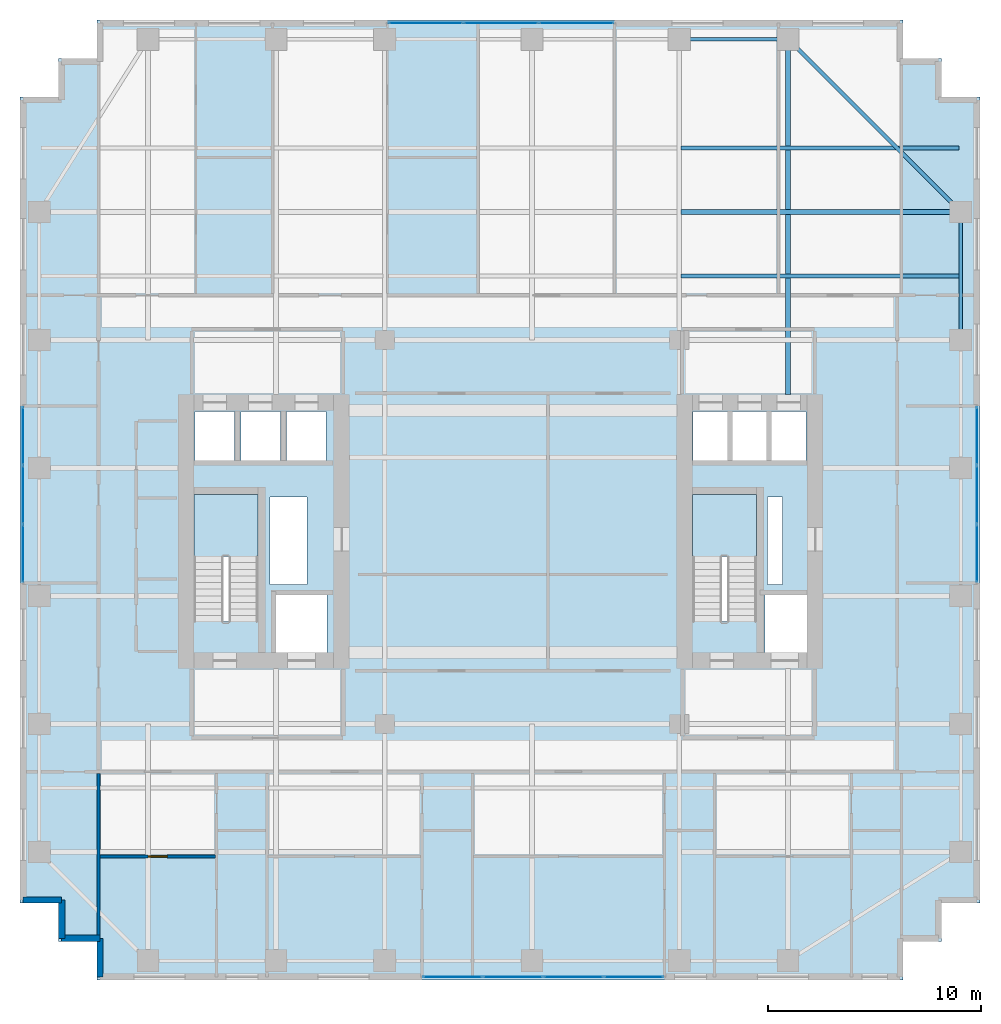
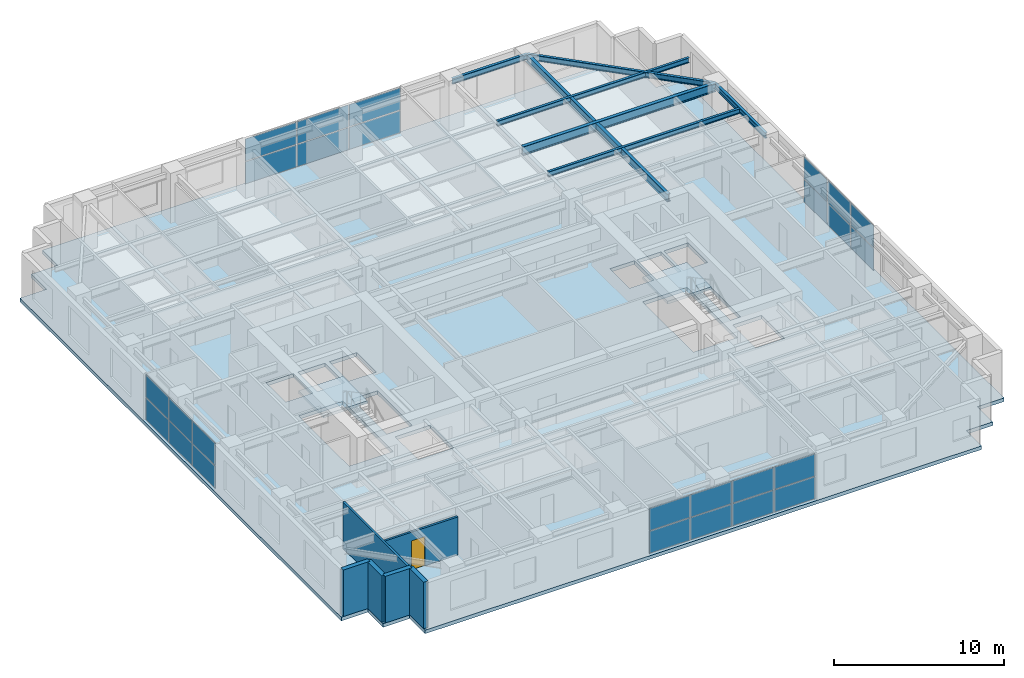
# One storey, part 11 of 20: 26 plates, 7 beams, 6 walls, 3 slabs, 1 door, 1 opening, 6 elements without a shape of their own.
"""IFC4 building model written with IfcOpenShell, lengths in metres."""

from ifc_helpers import new_model, si_unit, direction, frame, frame_2d, origin, origin_2d, place, context, subcontext, project, spatial, polyline, rectangle, i_section, outline, extrude, source, transform, mapped, material, layer, layer_set, material_profile, profile_set, type_object, element, fill, aggregate, save


model = new_model("IFC4")

# Units and contexts
model_context = context("Model", 3, precision=1e-05, world=origin(), true_north=direction((0.0, 1.0)))
body_context = subcontext(model_context, "Body", "Model", "MODEL_VIEW")
ifc_project = project(units=[si_unit("LENGTHUNIT", "METRE"), si_unit("AREAUNIT", "SQUARE_METRE"), si_unit("VOLUMEUNIT", "CUBIC_METRE"), si_unit("PLANEANGLEUNIT", "RADIAN"), si_unit("MASSUNIT", "GRAM", prefix="KILO")], contexts=[model_context])

# Site, building, storey
site_placement = place(None, origin())
site = spatial("IfcSite", under=ifc_project, at=site_placement, CompositionType="ELEMENT")
building_placement = place(site_placement, origin())
building = spatial("IfcBuilding", under=site, at=building_placement, Name="Khoralis Quay Care Tower", CompositionType="ELEMENT")
storey_placement = place(building_placement, frame((0.0, 0.0, 116.10009765625)))
storey = spatial("IfcBuildingStorey", under=building, at=storey_placement, Name="L30", CompositionType="ELEMENT", Elevation=116.10009765625)

# Beams
ifc_material_1 = material(Name="Steel S355", Category="steel")
ifc_material_profile_1 = material_profile(ifc_material_1, i_section(OverallWidth=0.179931640625, OverallDepth=0.39990234375, WebThickness=0.008544921875, FlangeThickness=0.013427734375, FilletRadius=0.02099609375, at=origin_2d()), Name="Steel S355")
ifc_profile_set_1 = profile_set([ifc_material_profile_1], Name="Steel S355")
beam_type_1 = type_object("IfcBeamType", Name="BM-IPE400", PredefinedType="SPANDREL", material=ifc_profile_set_1)
shared_shape_1 = source(origin(), body_context, "Body", "SweptSolid", [
    extrude(i_section(OverallWidth=0.179931640625, OverallDepth=0.39990234375, WebThickness=0.008544921875, FlangeThickness=0.013427734375, FilletRadius=0.02099609375, at=origin_2d()), origin(), (0.0, 0.0, 1.0), 6.0),
])
beam_1_placement = place(storey_placement, frame((44.10009765625, 30.0, 3.139892578125), z_axis=(0.0, 1.0, 0.0), x_axis=(-1.0, 0.0, 0.0)))
element("IfcBeam", 1, at=beam_1_placement, inside=storey, type_object=beam_type_1, Name="BM-TSP-L30-20", PredefinedType="SPANDREL", context=body_context, shape_type="MappedRepresentation", body=[
    mapped(shared_shape_1, transform((0.0, 0.0, 0.0), scale=1.0)),
])
shared_shape_2 = source(origin(), body_context, "Body", "SweptSolid", [
    extrude(i_section(OverallWidth=0.179931640625, OverallDepth=0.39990234375, WebThickness=0.008544921875, FlangeThickness=0.013427734375, FilletRadius=0.02099609375, at=origin_2d()), origin(), (0.0, 0.0, 1.0), 5.10009765625),
])
beam_2_placement = place(storey_placement, frame((30.89990234375, 44.10009765625, 3.139892578125), z_axis=(1.0, 0.0, 0.0), x_axis=(0.0, 1.0, 0.0)))
element("IfcBeam", 2, at=beam_2_placement, inside=storey, type_object=beam_type_1, Name="BM-TSP-L30-10", PredefinedType="SPANDREL", context=body_context, shape_type="MappedRepresentation", body=[
    mapped(shared_shape_2, transform((0.0, 0.0, 0.0), scale=1.0)),
])
shared_shape_3 = source(origin(), body_context, "Body", "SweptSolid", [
    extrude(i_section(OverallWidth=0.179931640625, OverallDepth=0.39990234375, WebThickness=0.008544921875, FlangeThickness=0.013427734375, FilletRadius=0.02099609375, at=origin_2d()), origin(), (0.0, 0.0, 1.0), 11.455322265625),
])
beam_3_placement = place(storey_placement, frame((36.0, 44.10009765625, 3.139892578125), z_axis=(0.707106781187, -0.707106781187, 0.0), x_axis=(0.707106781187, 0.707106781187, 0.0)))
element("IfcBeam", 3, at=beam_3_placement, inside=storey, type_object=beam_type_1, Name="BM-TCR-L30-24", PredefinedType="SPANDREL", context=body_context, shape_type="MappedRepresentation", body=[
    mapped(shared_shape_3, transform((0.0, 0.0, 0.0), scale=1.0)),
])
ifc_material_profile_2 = material_profile(ifc_material_1, i_section(OverallWidth=0.22998046875, OverallDepth=0.616943359375, WebThickness=0.01318359375, FlangeThickness=0.022216796875, FilletRadius=0.01806640625, at=origin_2d()), Name="Steel S355")
ifc_profile_set_2 = profile_set([ifc_material_profile_2], Name="Steel S355")
beam_type_2 = type_object("IfcBeamType", Name="BM-W610X140", PredefinedType="BEAM", material=ifc_profile_set_2)
shared_shape_4 = source(origin(), body_context, "Body", "SweptSolid", [
    extrude(i_section(OverallWidth=0.22998046875, OverallDepth=0.616943359375, WebThickness=0.01318359375, FlangeThickness=0.022216796875, FilletRadius=0.01806640625, at=origin_2d()), origin(), (0.0, 0.0, 1.0), 13.106201171875),
])
beam_4_placement = place(storey_placement, frame((30.993896484375, 36.0, 3.031494140625), z_axis=(1.0, 0.0, 0.0), x_axis=(0.0, 1.0, 0.0)))
element("IfcBeam", 4, at=beam_4_placement, inside=storey, type_object=beam_type_2, Name="BM-TGXE-L30-360", PredefinedType="BEAM", context=body_context, shape_type="MappedRepresentation", body=[
    mapped(shared_shape_4, transform((0.0, 0.0, 0.0), scale=1.0)),
])
ifc_material_profile_3 = material_profile(ifc_material_1, i_section(OverallWidth=0.2119140625, OverallDepth=0.5439453125, WebThickness=0.01318359375, FlangeThickness=0.021240234375, FilletRadius=0.01611328125, at=origin_2d()), Name="Steel S355")
ifc_profile_set_3 = profile_set([ifc_material_profile_3], Name="Steel S355")
beam_type_3 = type_object("IfcBeamType", Name="BM-W530X123", PredefinedType="BEAM", material=ifc_profile_set_3)
shared_shape_5 = source(origin(), body_context, "Body", "SweptSolid", [
    extrude(i_section(OverallWidth=0.2119140625, OverallDepth=0.5439453125, WebThickness=0.01318359375, FlangeThickness=0.021240234375, FilletRadius=0.01611328125, at=origin_2d()), origin(), (0.0, 0.0, 1.0), 16.652099609375),
])
beam_5_placement = place(storey_placement, frame((36.0, 27.447998046875, 3.06787109375), z_axis=(0.0, 1.0, 0.0), x_axis=(-1.0, 0.0, 0.0)))
element("IfcBeam", 5, at=beam_5_placement, inside=storey, type_object=beam_type_3, Name="BM-TGYN-L30-360", PredefinedType="BEAM", context=body_context, shape_type="MappedRepresentation", body=[
    mapped(shared_shape_5, transform((0.0, 0.0, 0.0), scale=1.0)),
])
ifc_material_profile_4 = material_profile(ifc_material_1, i_section(OverallWidth=0.1708984375, OverallDepth=0.35498046875, WebThickness=0.007080078125, FlangeThickness=0.01171875, FilletRadius=0.012939453125, at=origin_2d()), Name="Steel S355")
ifc_profile_set_4 = profile_set([ifc_material_profile_4], Name="Steel S355")
beam_type_4 = type_object("IfcBeamType", Name="BM-W360X51", PredefinedType="JOIST", material=ifc_profile_set_4)
shared_shape_6 = source(origin(), body_context, "Body", "SweptSolid", [
    extrude(i_section(OverallWidth=0.1708984375, OverallDepth=0.35498046875, WebThickness=0.007080078125, FlangeThickness=0.01171875, FilletRadius=0.012939453125, at=origin_2d()), origin(), (0.0, 0.0, 1.0), 13.030029296875),
])
for number, where, z_axis, x_axis, name in (
    (6, (30.993896484375, 33.0, 3.162353515625), (1.0, 0.0, 0.0), (0.0, 1.0, 0.0), "BM-TJS-L30-29"),
    (7, (30.993896484375, 39.0, 3.162353515625), (1.0, 0.0, 0.0), (0.0, 1.0, 0.0), "BM-TJS-L30-32"),
):
    element("IfcBeam", number, at=place(storey_placement, frame(where, z_axis=z_axis, x_axis=x_axis)), inside=storey, type_object=beam_type_4, Name=name, PredefinedType="JOIST", context=body_context, shape_type="MappedRepresentation", body=[
        mapped(shared_shape_6, transform((0.0, 0.0, 0.0), scale=1.0)),
    ])

# Stair, slab
ifc_material_2 = material(Name="Precast concrete C45/55", Category="concrete")
stair_type = type_object("IfcStairType", Name="ST-TWR-DOGLEG-1400", PredefinedType="HALF_TURN_STAIR", material=ifc_material_2)
stair_1_placement = place(storey_placement, origin())
stair_1 = element("IfcStair", 8, at=stair_1_placement, inside=storey, type_object=stair_type, Name="L30 West Core Exit Stair ST-T1", PredefinedType="HALF_TURN_STAIR")
ifc_layer_1 = layer(ifc_material_2, 0.199951171875)
ifc_layer_set_1 = layer_set([ifc_layer_1], Name="Precast concrete C45/55")
slab_type_1 = type_object("IfcSlabType", Name="SLB-LANDING-200", PredefinedType="LANDING", material=ifc_layer_set_1)
slab_1_placement = place(storey_placement, frame((0.0, 0.0, 1.599853515625)))
slab_1 = element("IfcSlab", 9, at=slab_1_placement, type_object=slab_type_1, Name="ST-T1 landing 1", PredefinedType="LANDING", context=body_context, shape_type="SweptSolid", body=[
    extrude(outline(polyline([(11.14990234375, 19.840087890625), (11.14990234375, 22.75), (8.14990234375, 22.75), (8.14990234375, 19.840087890625), (11.14990234375, 19.840087890625)])), origin(), (0.0, 0.0, 1.0), 0.199951171875),
])
aggregate(stair_1, [slab_1])

stair_2_placement = place(storey_placement, origin())
stair_2 = element("IfcStair", 10, at=stair_2_placement, inside=storey, type_object=stair_type, Name="L30 East Core Exit Stair ST-T2", PredefinedType="HALF_TURN_STAIR")
slab_2_placement = place(storey_placement, frame((0.0, 0.0, 1.599853515625)))
slab_2 = element("IfcSlab", 11, at=slab_2_placement, type_object=slab_type_1, Name="ST-T2 landing 1", PredefinedType="LANDING", context=body_context, shape_type="SweptSolid", body=[
    extrude(outline(polyline([(34.52001953125, 19.840087890625), (34.52001953125, 22.75), (31.52001953125, 22.75), (31.52001953125, 19.840087890625), (34.52001953125, 19.840087890625)])), origin(), (0.0, 0.0, 1.0), 0.199951171875),
])
aggregate(stair_2, [slab_2])

# Slab
ifc_material_3 = material(Name="Concrete C40/50", Category="concrete")
ifc_layer_2 = layer(ifc_material_3, 0.260009765625)
ifc_layer_set_2 = layer_set([ifc_layer_2], Name="Concrete C40/50")
slab_type_2 = type_object("IfcSlabType", Name="SLB-TWR-260", PredefinedType="FLOOR", material=ifc_layer_set_2)
slab_3_placement = place(storey_placement, frame((0.0, 0.0, -0.260009765625)))
element("IfcSlab", 12, at=slab_3_placement, inside=storey, type_object=slab_type_2, Name="Tower Floor Slab L30", PredefinedType="FLOOR", context=body_context, shape_type="SweptSolid", body=[
    extrude(outline(polyline([(3.60009765625, 0.0), (41.39990234375, 0.0), (41.39990234375, 1.800048828125), (43.199951171875, 1.800048828125), (43.199951171875, 3.60009765625), (45.0, 3.60009765625), (45.0, 41.39990234375), (43.199951171875, 41.39990234375), (43.199951171875, 43.199951171875), (41.39990234375, 43.199951171875), (41.39990234375, 45.0), (3.60009765625, 45.0), (3.60009765625, 43.199951171875), (1.800048828125, 43.199951171875), (1.800048828125, 41.39990234375), (0.0, 41.39990234375), (0.0, 3.60009765625), (1.800048828125, 3.60009765625), (1.800048828125, 1.800048828125), (3.60009765625, 1.800048828125), (3.60009765625, 0.0)]), holes=[polyline([(11.14990234375, 16.800048828125), (11.14990234375, 22.75), (8.14990234375, 22.75), (8.14990234375, 16.800048828125), (11.14990234375, 16.800048828125)]), polyline([(34.52001953125, 16.800048828125), (34.52001953125, 22.75), (31.52001953125, 22.75), (31.52001953125, 16.800048828125), (34.52001953125, 16.800048828125)]), polyline([(12.0, 15.35009765625), (14.39990234375, 15.35009765625), (14.39990234375, 18.050048828125), (12.0, 18.050048828125), (12.0, 15.35009765625)]), polyline([(34.919921875, 15.35009765625), (36.8798828125, 15.35009765625), (36.8798828125, 18.050048828125), (34.919921875, 18.050048828125), (34.919921875, 15.35009765625)]), polyline([(8.199951171875, 24.35009765625), (10.050048828125, 24.35009765625), (10.050048828125, 26.64990234375), (8.199951171875, 26.64990234375), (8.199951171875, 24.35009765625)]), polyline([(31.550048828125, 24.35009765625), (33.199951171875, 24.35009765625), (33.199951171875, 26.64990234375), (31.550048828125, 26.64990234375), (31.550048828125, 24.35009765625)]), polyline([(10.35009765625, 24.35009765625), (12.199951171875, 24.35009765625), (12.199951171875, 26.64990234375), (10.35009765625, 26.64990234375), (10.35009765625, 24.35009765625)]), polyline([(33.3798828125, 24.35009765625), (35.030029296875, 24.35009765625), (35.030029296875, 26.64990234375), (33.3798828125, 26.64990234375), (33.3798828125, 24.35009765625)]), polyline([(12.5, 24.35009765625), (14.35009765625, 24.35009765625), (14.35009765625, 26.64990234375), (12.5, 26.64990234375), (12.5, 24.35009765625)]), polyline([(35.199951171875, 24.35009765625), (36.85009765625, 24.35009765625), (36.85009765625, 26.64990234375), (35.199951171875, 26.64990234375), (35.199951171875, 24.35009765625)]), polyline([(11.719970703125, 18.550048828125), (13.449951171875, 18.550048828125), (13.449951171875, 22.64990234375), (11.719970703125, 22.64990234375), (11.719970703125, 18.550048828125)]), polyline([(35.050048828125, 18.550048828125), (35.75, 18.550048828125), (35.75, 22.64990234375), (35.050048828125, 22.64990234375), (35.050048828125, 18.550048828125)])]), origin(), (0.0, 0.0, 1.0), 0.260009765625),
])

# Curtain wall, plates
ifc_material_4 = material(Name="Pale anodised aluminium", Category="aluminium")
ifc_layer_3 = layer(ifc_material_4, 0.169921875)
ifc_layer_set_3 = layer_set([ifc_layer_3], Name="Pale anodised aluminium")
curtain_wall_type = type_object("IfcCurtainWallType", Name="CW-SYS-Z2", PredefinedType="NOTDEFINED", material=ifc_layer_set_3)
curtain_wall_1_placement = place(storey_placement, origin())
curtain_wall_1 = element("IfcCurtainWall", 13, at=curtain_wall_1_placement, inside=storey, type_object=curtain_wall_type, Name="L30 Unitised Curtain Wall CW-L30-P1-E5", PredefinedType="NOTDEFINED")
ifc_material_5 = material(Name="Low-E solar-control double glazing", Category="glass")
ifc_layer_4 = layer(ifc_material_5, 0.031982421875)
ifc_layer_set_4 = layer_set([ifc_layer_4], Name="Low-E solar-control double glazing")
plate_type = type_object("IfcPlateType", Name="PNL-VIS-32", PredefinedType="CURTAIN_PANEL", material=ifc_layer_set_4)
shared_shape_7 = source(origin(), body_context, "Body", "SweptSolid", [
    extrude(rectangle(XDim=2.6767578125, YDim=0.028076171875, at=origin_2d()), origin(), (0.0, 0.0, 1.0), 1.580078125),
])
plate_1_placement = place(storey_placement, frame((44.85009765625, 19.998291015625, 0.059814453125), z_axis=(0.0, 0.0, 1.0), x_axis=(0.0, 1.0, 0.0)))
plate_1 = element("IfcPlate", 14, at=plate_1_placement, type_object=plate_type, Name="CW2 panel 1.1", PredefinedType="CURTAIN_PANEL", context=body_context, shape_type="MappedRepresentation", body=[
    mapped(shared_shape_7, transform((0.0, 0.0, 0.0), scale=1.0)),
])
plate_2_placement = place(storey_placement, frame((44.85009765625, 19.998291015625, 1.699951171875), z_axis=(0.0, 0.0, 1.0), x_axis=(0.0, 1.0, 0.0)))
plate_2 = element("IfcPlate", 15, at=plate_2_placement, type_object=plate_type, Name="CW2 panel 1.2", PredefinedType="CURTAIN_PANEL", context=body_context, shape_type="MappedRepresentation", body=[
    mapped(shared_shape_7, transform((0.0, 0.0, 0.0), scale=1.0)),
])
plate_3_placement = place(storey_placement, frame((44.85009765625, 25.501708984375, 0.059814453125), z_axis=(0.0, 0.0, 1.0), x_axis=(0.0, 1.0, 0.0)))
plate_3 = element("IfcPlate", 16, at=plate_3_placement, type_object=plate_type, Name="CW2 panel 3.1", PredefinedType="CURTAIN_PANEL", context=body_context, shape_type="MappedRepresentation", body=[
    mapped(shared_shape_7, transform((0.0, 0.0, 0.0), scale=1.0)),
])
plate_4_placement = place(storey_placement, frame((44.85009765625, 25.501708984375, 1.699951171875), z_axis=(0.0, 0.0, 1.0), x_axis=(0.0, 1.0, 0.0)))
plate_4 = element("IfcPlate", 17, at=plate_4_placement, type_object=plate_type, Name="CW2 panel 3.2", PredefinedType="CURTAIN_PANEL", context=body_context, shape_type="MappedRepresentation", body=[
    mapped(shared_shape_7, transform((0.0, 0.0, 0.0), scale=1.0)),
])

curtain_wall_2_placement = place(storey_placement, origin())
curtain_wall_2 = element("IfcCurtainWall", 18, at=curtain_wall_2_placement, inside=storey, type_object=curtain_wall_type, Name="L30 Unitised Curtain Wall CW-L30-P1-E15", PredefinedType="NOTDEFINED")
plate_5_placement = place(storey_placement, frame((0.14990234375, 25.501708984375, 0.059814453125), z_axis=(0.0, 0.0, 1.0), x_axis=(0.0, -1.0, 0.0)))
plate_5 = element("IfcPlate", 19, at=plate_5_placement, type_object=plate_type, Name="CW2 panel 1.1", PredefinedType="CURTAIN_PANEL", context=body_context, shape_type="MappedRepresentation", body=[
    mapped(shared_shape_7, transform((0.0, 0.0, 0.0), scale=1.0)),
])
plate_6_placement = place(storey_placement, frame((0.14990234375, 25.501708984375, 1.699951171875), z_axis=(0.0, 0.0, 1.0), x_axis=(0.0, -1.0, 0.0)))
plate_6 = element("IfcPlate", 20, at=plate_6_placement, type_object=plate_type, Name="CW2 panel 1.2", PredefinedType="CURTAIN_PANEL", context=body_context, shape_type="MappedRepresentation", body=[
    mapped(shared_shape_7, transform((0.0, 0.0, 0.0), scale=1.0)),
])
plate_7_placement = place(storey_placement, frame((0.14990234375, 19.998291015625, 0.059814453125), z_axis=(0.0, 0.0, 1.0), x_axis=(0.0, -1.0, 0.0)))
plate_7 = element("IfcPlate", 21, at=plate_7_placement, type_object=plate_type, Name="CW2 panel 3.1", PredefinedType="CURTAIN_PANEL", context=body_context, shape_type="MappedRepresentation", body=[
    mapped(shared_shape_7, transform((0.0, 0.0, 0.0), scale=1.0)),
])
plate_8_placement = place(storey_placement, frame((0.14990234375, 19.998291015625, 1.699951171875), z_axis=(0.0, 0.0, 1.0), x_axis=(0.0, -1.0, 0.0)))
plate_8 = element("IfcPlate", 22, at=plate_8_placement, type_object=plate_type, Name="CW2 panel 3.2", PredefinedType="CURTAIN_PANEL", context=body_context, shape_type="MappedRepresentation", body=[
    mapped(shared_shape_7, transform((0.0, 0.0, 0.0), scale=1.0)),
])

# Plate
shared_shape_8 = source(origin(), body_context, "Body", "SweptSolid", [
    extrude(rectangle(XDim=2.706787109375, YDim=0.028076171875, at=origin_2d()), origin(), (0.0, 0.0, 1.0), 1.580078125),
])
plate_9_placement = place(storey_placement, frame((44.85009765625, 22.75, 0.059814453125), z_axis=(0.0, 0.0, 1.0), x_axis=(0.0, 1.0, 0.0)))
plate_9 = element("IfcPlate", 23, at=plate_9_placement, type_object=plate_type, Name="CW2 panel 2.1", PredefinedType="CURTAIN_PANEL", context=body_context, shape_type="MappedRepresentation", body=[
    mapped(shared_shape_8, transform((0.0, 0.0, 0.0), scale=1.0)),
])

plate_10_placement = place(storey_placement, frame((44.85009765625, 22.75, 1.699951171875), z_axis=(0.0, 0.0, 1.0), x_axis=(0.0, 1.0, 0.0)))
plate_10 = element("IfcPlate", 24, at=plate_10_placement, type_object=plate_type, Name="CW2 panel 2.2", PredefinedType="CURTAIN_PANEL", context=body_context, shape_type="MappedRepresentation", body=[
    mapped(shared_shape_8, transform((0.0, 0.0, 0.0), scale=1.0)),
])

aggregate(curtain_wall_1, [plate_1, plate_2, plate_9, plate_10, plate_3, plate_4])

plate_11_placement = place(storey_placement, frame((0.14990234375, 22.75, 0.059814453125), z_axis=(0.0, 0.0, 1.0), x_axis=(0.0, -1.0, 0.0)))
plate_11 = element("IfcPlate", 25, at=plate_11_placement, type_object=plate_type, Name="CW2 panel 2.1", PredefinedType="CURTAIN_PANEL", context=body_context, shape_type="MappedRepresentation", body=[
    mapped(shared_shape_8, transform((0.0, 0.0, 0.0), scale=1.0)),
])

plate_12_placement = place(storey_placement, frame((0.14990234375, 22.75, 1.699951171875), z_axis=(0.0, 0.0, 1.0), x_axis=(0.0, -1.0, 0.0)))
plate_12 = element("IfcPlate", 26, at=plate_12_placement, type_object=plate_type, Name="CW2 panel 2.2", PredefinedType="CURTAIN_PANEL", context=body_context, shape_type="MappedRepresentation", body=[
    mapped(shared_shape_8, transform((0.0, 0.0, 0.0), scale=1.0)),
])

aggregate(curtain_wall_2, [plate_5, plate_6, plate_11, plate_12, plate_7, plate_8])

# Curtain wall, plates
curtain_wall_3_placement = place(storey_placement, origin())
curtain_wall_3 = element("IfcCurtainWall", 27, at=curtain_wall_3_placement, inside=storey, type_object=curtain_wall_type, Name="L30 Unitised Curtain Wall CW-L30-P1-E0", PredefinedType="NOTDEFINED")
shared_shape_9 = source(origin(), body_context, "Body", "SweptSolid", [
    extrude(rectangle(XDim=2.75, YDim=0.028076171875, at=origin_2d()), origin(), (0.0, 0.0, 1.0), 1.580078125),
])
plate_13_placement = place(storey_placement, frame((20.284912109375, 0.14990234375, 0.059814453125), z_axis=(0.0, 0.0, 1.0), x_axis=(1.0, 0.0, 0.0)))
plate_13 = element("IfcPlate", 28, at=plate_13_placement, type_object=plate_type, Name="CW2 panel 1.1", PredefinedType="CURTAIN_PANEL", context=body_context, shape_type="MappedRepresentation", body=[
    mapped(shared_shape_9, transform((0.0, 0.0, 0.0), scale=1.0)),
])
plate_14_placement = place(storey_placement, frame((20.284912109375, 0.14990234375, 1.699951171875), z_axis=(0.0, 0.0, 1.0), x_axis=(1.0, 0.0, 0.0)))
plate_14 = element("IfcPlate", 29, at=plate_14_placement, type_object=plate_type, Name="CW2 panel 1.2", PredefinedType="CURTAIN_PANEL", context=body_context, shape_type="MappedRepresentation", body=[
    mapped(shared_shape_9, transform((0.0, 0.0, 0.0), scale=1.0)),
])
plate_15_placement = place(storey_placement, frame((28.77490234375, 0.14990234375, 0.059814453125), z_axis=(0.0, 0.0, 1.0), x_axis=(1.0, 0.0, 0.0)))
plate_15 = element("IfcPlate", 30, at=plate_15_placement, type_object=plate_type, Name="CW2 panel 4.1", PredefinedType="CURTAIN_PANEL", context=body_context, shape_type="MappedRepresentation", body=[
    mapped(shared_shape_9, transform((0.0, 0.0, 0.0), scale=1.0)),
])
plate_16_placement = place(storey_placement, frame((28.77490234375, 0.14990234375, 1.699951171875), z_axis=(0.0, 0.0, 1.0), x_axis=(1.0, 0.0, 0.0)))
plate_16 = element("IfcPlate", 31, at=plate_16_placement, type_object=plate_type, Name="CW2 panel 4.2", PredefinedType="CURTAIN_PANEL", context=body_context, shape_type="MappedRepresentation", body=[
    mapped(shared_shape_9, transform((0.0, 0.0, 0.0), scale=1.0)),
])
shared_shape_10 = source(origin(), body_context, "Body", "SweptSolid", [
    extrude(rectangle(XDim=2.780029296875, YDim=0.028076171875, at=origin_2d()), origin(), (0.0, 0.0, 1.0), 1.580078125),
])
plate_17_placement = place(storey_placement, frame((23.110107421875, 0.14990234375, 0.059814453125), z_axis=(0.0, 0.0, 1.0), x_axis=(1.0, 0.0, 0.0)))
plate_17 = element("IfcPlate", 32, at=plate_17_placement, type_object=plate_type, Name="CW2 panel 2.1", PredefinedType="CURTAIN_PANEL", context=body_context, shape_type="MappedRepresentation", body=[
    mapped(shared_shape_10, transform((0.0, 0.0, 0.0), scale=1.0)),
])
plate_18_placement = place(storey_placement, frame((23.110107421875, 0.14990234375, 1.699951171875), z_axis=(0.0, 0.0, 1.0), x_axis=(1.0, 0.0, 0.0)))
plate_18 = element("IfcPlate", 33, at=plate_18_placement, type_object=plate_type, Name="CW2 panel 2.2", PredefinedType="CURTAIN_PANEL", context=body_context, shape_type="MappedRepresentation", body=[
    mapped(shared_shape_10, transform((0.0, 0.0, 0.0), scale=1.0)),
])
plate_19_placement = place(storey_placement, frame((25.949951171875, 0.14990234375, 0.059814453125), z_axis=(0.0, 0.0, 1.0), x_axis=(1.0, 0.0, 0.0)))
plate_19 = element("IfcPlate", 34, at=plate_19_placement, type_object=plate_type, Name="CW2 panel 3.1", PredefinedType="CURTAIN_PANEL", context=body_context, shape_type="MappedRepresentation", body=[
    mapped(shared_shape_10, transform((0.0, 0.0, 0.0), scale=1.0)),
])
plate_20_placement = place(storey_placement, frame((25.949951171875, 0.14990234375, 1.699951171875), z_axis=(0.0, 0.0, 1.0), x_axis=(1.0, 0.0, 0.0)))
plate_20 = element("IfcPlate", 35, at=plate_20_placement, type_object=plate_type, Name="CW2 panel 3.2", PredefinedType="CURTAIN_PANEL", context=body_context, shape_type="MappedRepresentation", body=[
    mapped(shared_shape_10, transform((0.0, 0.0, 0.0), scale=1.0)),
])
aggregate(curtain_wall_3, [plate_13, plate_14, plate_17, plate_18, plate_19, plate_20, plate_15, plate_16])

curtain_wall_4_placement = place(storey_placement, origin())
curtain_wall_4 = element("IfcCurtainWall", 36, at=curtain_wall_4_placement, inside=storey, type_object=curtain_wall_type, Name="L30 Unitised Curtain Wall CW-L30-P1-E10", PredefinedType="NOTDEFINED")
shared_shape_11 = source(origin(), body_context, "Body", "SweptSolid", [
    extrude(rectangle(XDim=3.457763671875, YDim=0.028076171875, at=origin_2d()), origin(), (0.0, 0.0, 1.0), 1.580078125),
])
plate_21_placement = place(storey_placement, frame((26.0810546875, 44.85009765625, 0.059814453125), z_axis=(0.0, 0.0, 1.0), x_axis=(-1.0, 0.0, 0.0)))
plate_21 = element("IfcPlate", 37, at=plate_21_placement, type_object=plate_type, Name="CW2 panel 1.1", PredefinedType="CURTAIN_PANEL", context=body_context, shape_type="MappedRepresentation", body=[
    mapped(shared_shape_11, transform((0.0, 0.0, 0.0), scale=1.0)),
])
plate_22_placement = place(storey_placement, frame((26.0810546875, 44.85009765625, 1.699951171875), z_axis=(0.0, 0.0, 1.0), x_axis=(-1.0, 0.0, 0.0)))
plate_22 = element("IfcPlate", 38, at=plate_22_placement, type_object=plate_type, Name="CW2 panel 1.2", PredefinedType="CURTAIN_PANEL", context=body_context, shape_type="MappedRepresentation", body=[
    mapped(shared_shape_11, transform((0.0, 0.0, 0.0), scale=1.0)),
])
plate_23_placement = place(storey_placement, frame((19.015869140625, 44.85009765625, 0.059814453125), z_axis=(0.0, 0.0, 1.0), x_axis=(-1.0, 0.0, 0.0)))
plate_23 = element("IfcPlate", 39, at=plate_23_placement, type_object=plate_type, Name="CW2 panel 3.1", PredefinedType="CURTAIN_PANEL", context=body_context, shape_type="MappedRepresentation", body=[
    mapped(shared_shape_11, transform((0.0, 0.0, 0.0), scale=1.0)),
])
plate_24_placement = place(storey_placement, frame((19.015869140625, 44.85009765625, 1.699951171875), z_axis=(0.0, 0.0, 1.0), x_axis=(-1.0, 0.0, 0.0)))
plate_24 = element("IfcPlate", 40, at=plate_24_placement, type_object=plate_type, Name="CW2 panel 3.2", PredefinedType="CURTAIN_PANEL", context=body_context, shape_type="MappedRepresentation", body=[
    mapped(shared_shape_11, transform((0.0, 0.0, 0.0), scale=1.0)),
])
shared_shape_12 = source(origin(), body_context, "Body", "SweptSolid", [
    extrude(rectangle(XDim=3.487548828125, YDim=0.028076171875, at=origin_2d()), origin(), (0.0, 0.0, 1.0), 1.580078125),
])
plate_25_placement = place(storey_placement, frame((22.548583984375, 44.85009765625, 0.059814453125), z_axis=(0.0, 0.0, 1.0), x_axis=(-1.0, 0.0, 0.0)))
plate_25 = element("IfcPlate", 41, at=plate_25_placement, type_object=plate_type, Name="CW2 panel 2.1", PredefinedType="CURTAIN_PANEL", context=body_context, shape_type="MappedRepresentation", body=[
    mapped(shared_shape_12, transform((0.0, 0.0, 0.0), scale=1.0)),
])
plate_26_placement = place(storey_placement, frame((22.548583984375, 44.85009765625, 1.699951171875), z_axis=(0.0, 0.0, 1.0), x_axis=(-1.0, 0.0, 0.0)))
plate_26 = element("IfcPlate", 42, at=plate_26_placement, type_object=plate_type, Name="CW2 panel 2.2", PredefinedType="CURTAIN_PANEL", context=body_context, shape_type="MappedRepresentation", body=[
    mapped(shared_shape_12, transform((0.0, 0.0, 0.0), scale=1.0)),
])
aggregate(curtain_wall_4, [plate_21, plate_22, plate_25, plate_26, plate_23, plate_24])

# Walls
ifc_layer_5 = layer(ifc_material_2, 0.300048828125)
ifc_layer_set_5 = layer_set([ifc_layer_5], Name="Precast concrete C45/55")
wall_type_1 = type_object("IfcWallType", Name="WL-EXT-REF-300", PredefinedType="SOLIDWALL", material=ifc_layer_set_5)
for number, where, z_axis, x_axis, name in (
    (43, (0.14990234375, 3.75, 0.0), (0.0, 0.0, 1.0), (1.0, 0.0, 0.0), "L30 External Facade Wall WL-EXT-L30-P1-C16"),
    (44, (1.949951171875, 3.75, 0.0), (0.0, 0.0, 1.0), (0.0, -1.0, 0.0), "L30 External Facade Wall WL-EXT-L30-P1-C17"),
    (45, (1.949951171875, 1.949951171875, 0.0), (0.0, 0.0, 1.0), (1.0, 0.0, 0.0), "L30 External Facade Wall WL-EXT-L30-P1-C18"),
    (46, (3.75, 1.949951171875, 0.0), (0.0, 0.0, 1.0), (0.0, -1.0, 0.0), "L30 External Facade Wall WL-EXT-L30-P1-C19"),
):
    element("IfcWall", number, at=place(storey_placement, frame(where, z_axis=z_axis, x_axis=x_axis)), inside=storey, type_object=wall_type_1, Name=name, PredefinedType="SOLIDWALL", context=body_context, shape_type="SweptSolid", body=[
        extrude(rectangle(XDim=1.800048828125, YDim=0.300048828125, at=frame_2d((0.89990234375, 0.0))), origin(), (0.0, 0.0, 1.0), 3.33984375),
    ])
ifc_material_6 = material(Name="Gypsum plasterboard on acoustic metal stud")
ifc_layer_6 = layer(ifc_material_6, 0.139892578125)
ifc_layer_set_6 = layer_set([ifc_layer_6], Name="Gypsum plasterboard on acoustic metal stud")
wall_type_2 = type_object("IfcWallType", Name="WL-UNIT-140", PredefinedType="PARTITIONING", material=ifc_layer_set_6)
wall_1_placement = place(storey_placement, frame((3.679931640625, 1.945068359375, 0.0), z_axis=(0.0, 0.0, 1.0), x_axis=(0.0, 1.0, 0.0)))
element("IfcWall", 47, at=wall_1_placement, inside=storey, type_object=wall_type_2, Name="L30 SB Demising Wall 0", PredefinedType="PARTITIONING", context=body_context, shape_type="SweptSolid", body=[
    extrude(rectangle(XDim=7.737548828125, YDim=0.139892578125, at=frame_2d((3.86865234375, 0.0))), origin(), (0.0, 0.0, 1.0), 3.33984375),
])

# Wall, opening, door
wall_2_placement = place(storey_placement, frame((3.7451171875, 5.7900390625, 0.0), z_axis=(0.0, 0.0, 1.0), x_axis=(1.0, 0.0, 0.0)))
wall_2 = element("IfcWall", 48, at=wall_2_placement, inside=storey, type_object=wall_type_2, Name="Skilled Care Bedroom L30-SB0 Sub-Partition", PredefinedType="PARTITIONING", context=body_context, shape_type="SweptSolid", body=[
    extrude(rectangle(XDim=5.409912109375, YDim=0.139892578125, at=frame_2d((2.705078125, 0.0))), origin(), (0.0, 0.0, 1.0), 2.722900390625),
])
opening_placement = place(wall_2_placement, frame((2.2548828125, 0.0, 0.0)))
opening = element("IfcOpeningElement", 49, at=opening_placement, cuts=wall_2, Name="Opening WD1", PredefinedType="OPENING", context=body_context, shape_type="SweptSolid", body=[
    extrude(rectangle(XDim=0.89990234375, YDim=2.10009765625, at=frame_2d((0.449951171875, 1.050048828125))), frame((0.0, 0.080078125, 0.0), z_axis=(0.0, -1.0, 0.0), x_axis=(1.0, 0.0, 0.0)), (0.0, 0.0, 1.0), 0.159912109375),
])
ifc_material_7 = material(Name="Acoustic hardwood timber", Category="wood")
door_type = type_object("IfcDoorType", Name="DR-BATH-900X2100", OperationType="NOTDEFINED", PredefinedType="DOOR", material=ifc_material_7)
shared_shape_13 = source(origin(), body_context, "Body", "SweptSolid", [
    extrude(rectangle(XDim=0.89990234375, YDim=2.10009765625, at=frame_2d((0.449951171875, 1.050048828125))), frame((0.0, 0.02490234375, 0.0), z_axis=(0.0, -1.0, 0.0), x_axis=(1.0, 0.0, 0.0)), (0.0, 0.0, 1.0), 0.050048828125),
])
door_placement = place(opening_placement, origin())
door = element("IfcDoor", 50, at=door_placement, inside=storey, type_object=door_type, Name="Private Study & Reading Alcove ARE0 Door", OperationType="SINGLE_SWING_LEFT", OverallHeight=2.10009765625, OverallWidth=0.89990234375, PredefinedType="DOOR", context=body_context, shape_type="MappedRepresentation", body=[
    mapped(shared_shape_13, transform((0.0, 0.0, 0.0), scale=1.0)),
])
fill(opening, door)

save(model, "model.ifc")
